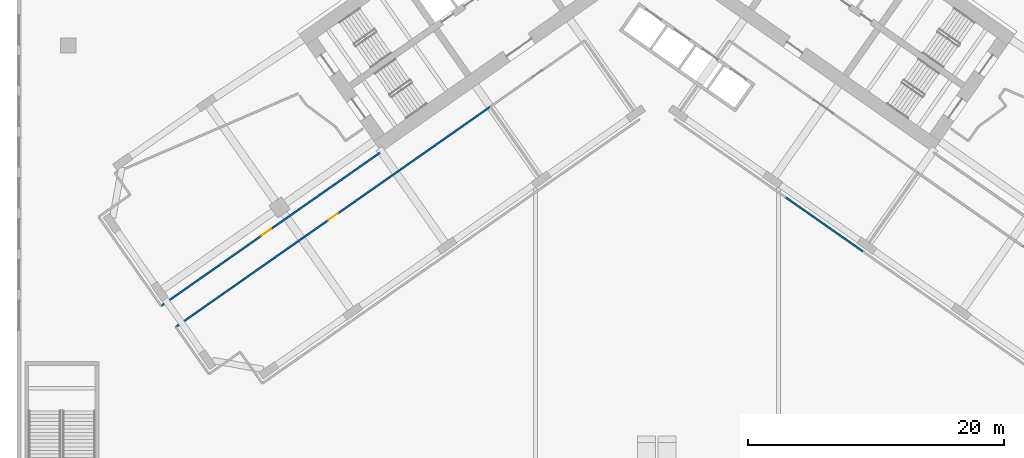
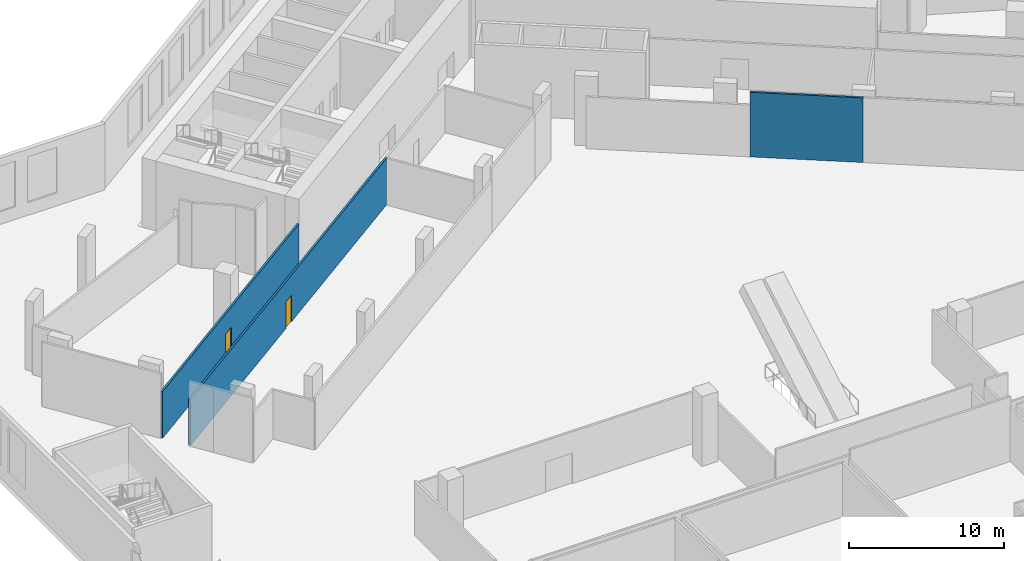
# One storey, part 7 of 26: 3 walls, 2 doors, 2 openings.
"""IFC4 building model written with IfcOpenShell, lengths in metres."""

from ifc_helpers import new_model, si_unit, direction, frame, frame_2d, origin, place, context, subcontext, project, spatial, rectangle, extrude, material, layer, layer_set, type_object, element, fill, save


model = new_model("IFC4")

# Units and contexts
model_context = context("Model", 3, precision=1e-05, world=origin(), true_north=direction((0.0, 1.0)))
body_context = subcontext(model_context, "Body", "Model", "MODEL_VIEW")
ifc_project = project(units=[si_unit("LENGTHUNIT", "METRE"), si_unit("AREAUNIT", "SQUARE_METRE"), si_unit("VOLUMEUNIT", "CUBIC_METRE"), si_unit("PLANEANGLEUNIT", "RADIAN"), si_unit("MASSUNIT", "GRAM", prefix="KILO")], contexts=[model_context])

# Site, building, storey
site_placement = place(None, origin())
site = spatial("IfcSite", under=ifc_project, at=site_placement, CompositionType="ELEMENT")
building_placement = place(site_placement, origin())
building = spatial("IfcBuilding", under=site, at=building_placement, Name="Tel Ilan Convention Tower", CompositionType="ELEMENT")
storey_placement = place(building_placement, frame((0.0, 0.0, 32.0)))
storey = spatial("IfcBuildingStorey", under=building, at=storey_placement, Name="L04", CompositionType="ELEMENT", Elevation=32.0)

# Wall, opening, door
ifc_material_1 = material(Name="Plasterboard on Steel Studs", Category="steel")
ifc_layer = layer(ifc_material_1, 0.14990234375)
ifc_layer_set = layer_set([ifc_layer], Name="Fire-rated Partition 150 EI 60")
wall_type = type_object("IfcWallType", Name="Fire-rated Partition 150 EI 60", PredefinedType="PARTITIONING", material=ifc_layer_set)
wall_1_placement = place(storey_placement, frame((-38.74560546875, -28.350830078125, 0.0), z_axis=(0.0, 0.0, 1.0), x_axis=(0.819148965066, 0.573580833911, 0.0)))
wall_1 = element("IfcWall", 1, at=wall_1_placement, inside=storey, type_object=wall_type, Name="Partition 004", PredefinedType="PARTITIONING", context=body_context, shape_type="SweptSolid", body=[
    extrude(rectangle(XDim=20.8798828125, YDim=0.14990234375, at=frame_2d((10.43994140625, 0.0))), origin(), (0.0, 0.0, 1.0), 3.679931640625),
])
opening_1_placement = place(wall_1_placement, frame((9.590087890625, 0.0, 0.0)))
opening_1 = element("IfcOpeningElement", 2, at=opening_1_placement, cuts=wall_1, Name="Opening L04-003", PredefinedType="OPENING", context=body_context, shape_type="SweptSolid", body=[
    extrude(rectangle(XDim=0.89990234375, YDim=2.10009765625, at=frame_2d((0.449951171875, 1.050048828125))), frame((0.0, 0.0849609375, 0.0), z_axis=(0.0, -1.0, 0.0), x_axis=(1.0, 0.0, 0.0)), (0.0, 0.0, 1.0), 0.169921875),
])
ifc_material_2 = material(Name="Timber Door Leaf in Steel Frame", Category="steel")
door_type_1 = type_object("IfcDoorType", Name="Riser and Service Fire Door 900x2100", OperationType="NOTDEFINED", PredefinedType="DOOR", material=ifc_material_2)
door_1_placement = place(opening_1_placement, origin())
door_1 = element("IfcDoor", 3, at=door_1_placement, inside=storey, type_object=door_type_1, Name="Door L04-003", OperationType="SINGLE_SWING_LEFT", OverallHeight=2.10009765625, OverallWidth=0.89990234375, PredefinedType="DOOR", context=body_context, shape_type="SweptSolid", body=[
    extrude(rectangle(XDim=0.89990234375, YDim=2.10009765625, at=frame_2d((0.449951171875, 1.050048828125))), frame((0.0, 0.02490234375, 0.0), z_axis=(0.0, -1.0, 0.0), x_axis=(1.0, 0.0, 0.0)), (0.0, 0.0, 1.0), 0.050048828125),
])
fill(opening_1, door_1)

wall_2_placement = place(storey_placement, frame((-13.0224609375, -12.78076171875, 0.0), z_axis=(0.0, 0.0, 1.0), x_axis=(-0.819154688631, -0.57357265982, 0.0)))
wall_2 = element("IfcWall", 4, at=wall_2_placement, inside=storey, type_object=wall_type, Name="Partition 006", PredefinedType="PARTITIONING", context=body_context, shape_type="SweptSolid", body=[
    extrude(rectangle(XDim=30.001953125, YDim=0.14990234375, at=frame_2d((15.0009765625, 0.0))), origin(), (0.0, 0.0, 1.0), 3.679931640625),
])
opening_2_placement = place(wall_2_placement, frame((14.551025390625, 0.0, 0.0)))
opening_2 = element("IfcOpeningElement", 5, at=opening_2_placement, cuts=wall_2, Name="Opening L04-002", PredefinedType="OPENING", context=body_context, shape_type="SweptSolid", body=[
    extrude(rectangle(XDim=0.89990234375, YDim=2.10009765625, at=frame_2d((0.449951171875, 1.050048828125))), frame((0.0, 0.0849609375, 0.0), z_axis=(0.0, -1.0, 0.0), x_axis=(1.0, 0.0, 0.0)), (0.0, 0.0, 1.0), 0.169921875),
])
ifc_material_3 = material(Name="Timber Door Leaf in Steel Frame", Category="steel")
door_type_2 = type_object("IfcDoorType", Name="Room Fire Door 900x2100", OperationType="NOTDEFINED", PredefinedType="DOOR", material=ifc_material_3)
door_2_placement = place(opening_2_placement, origin())
door_2 = element("IfcDoor", 6, at=door_2_placement, inside=storey, type_object=door_type_2, Name="Door L04-002", OperationType="SINGLE_SWING_RIGHT", OverallHeight=2.10009765625, OverallWidth=0.89990234375, PredefinedType="DOOR", context=body_context, shape_type="SweptSolid", body=[
    extrude(rectangle(XDim=0.89990234375, YDim=2.10009765625, at=frame_2d((0.449951171875, 1.050048828125))), frame((0.0, 0.02490234375, 0.0), z_axis=(0.0, -1.0, 0.0), x_axis=(1.0, 0.0, 0.0)), (0.0, 0.0, 1.0), 0.050048828125),
])
fill(opening_2, door_2)

# Wall
wall_3_placement = place(storey_placement, frame((16.094482421875, -24.087646484375, 0.0), z_axis=(0.0, 0.0, 1.0), x_axis=(-0.819155454297, 0.573571566324, 0.0)))
element("IfcWall", 7, at=wall_3_placement, inside=storey, type_object=wall_type, Name="Partition 018", PredefinedType="PARTITIONING", context=body_context, shape_type="SweptSolid", body=[
    extrude(rectangle(XDim=7.3505859375, YDim=0.14990234375, at=frame_2d((3.67529296875, 0.0))), origin(), (0.0, 0.0, 1.0), 5.10009765625),
])

save(model, "model.ifc")
